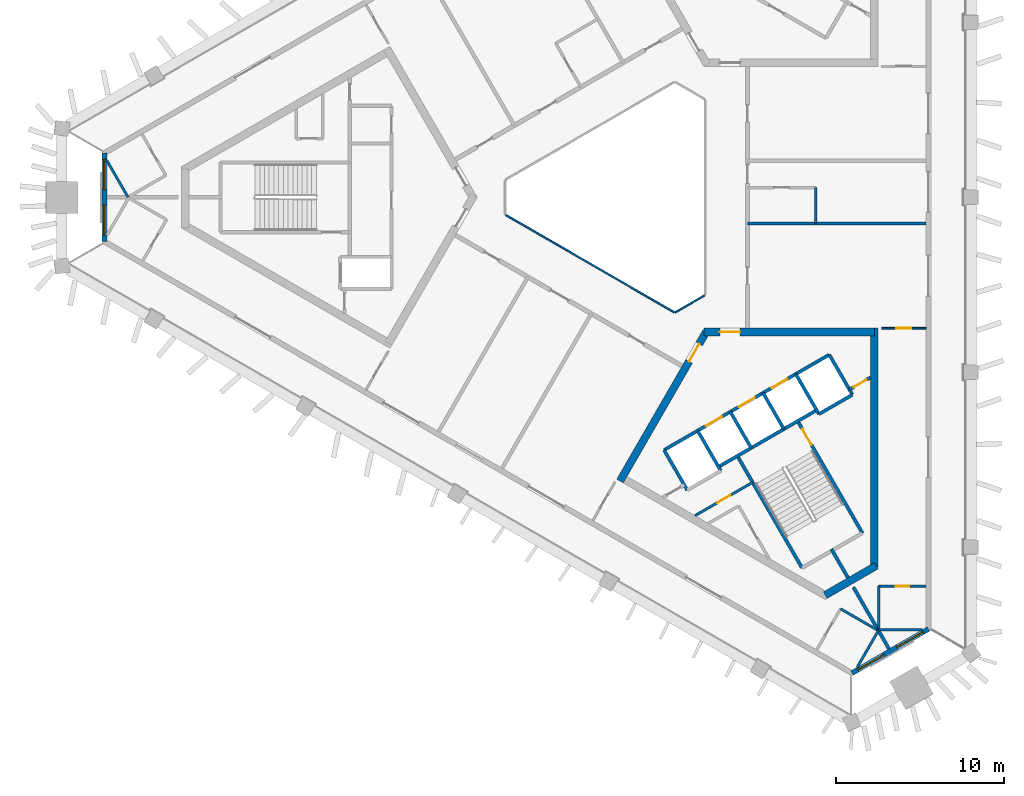
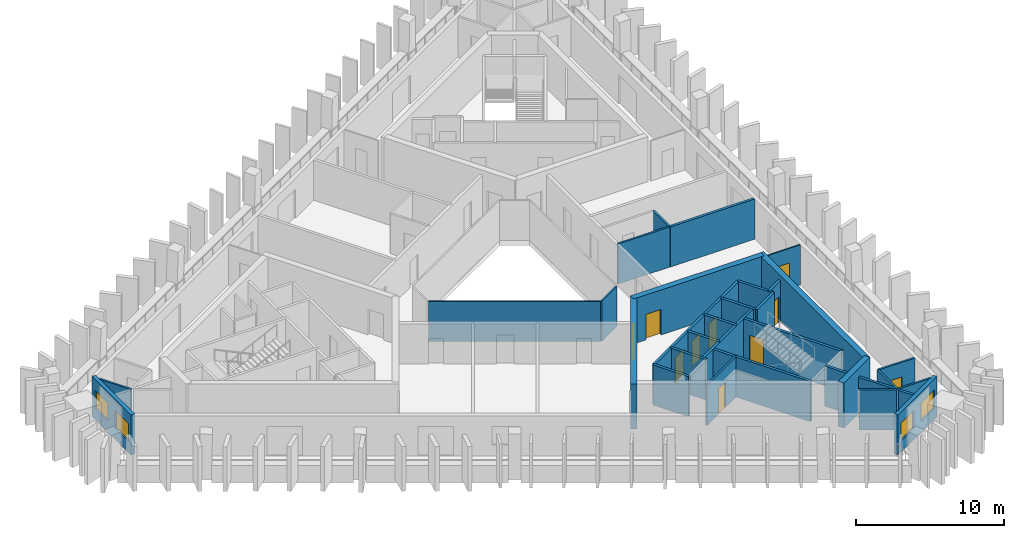
# One storey, part 3 of 9: 33 walls, 10 doors, 4 windows, 14 openings.
"""IFC4 building model written with IfcOpenShell, lengths in metres."""

from ifc_helpers import new_model, si_unit, direction, frame, frame_2d, origin, place, context, subcontext, project, spatial, rectangle, extrude, material, layer, layer_set, type_object, element, fill, save


model = new_model("IFC4")

# Units and contexts
model_context = context("Model", 3, precision=1e-05, world=origin(), true_north=direction((0.0, 1.0)))
body_context = subcontext(model_context, "Body", "Model", "MODEL_VIEW")
ifc_project = project(units=[si_unit("LENGTHUNIT", "METRE"), si_unit("AREAUNIT", "SQUARE_METRE"), si_unit("VOLUMEUNIT", "CUBIC_METRE"), si_unit("PLANEANGLEUNIT", "RADIAN"), si_unit("MASSUNIT", "GRAM", prefix="KILO")], contexts=[model_context])

# Site, building, storey
site_placement = place(None, origin())
site = spatial("IfcSite", under=ifc_project, at=site_placement, CompositionType="ELEMENT")
building_placement = place(site_placement, origin())
building = spatial("IfcBuilding", under=site, at=building_placement, Name="Jabali Bay Hotel Tower and Convention Centre", CompositionType="ELEMENT")
storey_placement = place(building_placement, frame((0.0, 0.0, 209.5)))
storey = spatial("IfcBuildingStorey", under=building, at=storey_placement, Name="L51", CompositionType="ELEMENT", Elevation=209.5)

# Walls
ifc_material_1 = material(Name="Fire-resistant glazing", Category="glass")
ifc_layer_1 = layer(ifc_material_1, 0.10009765625)
ifc_layer_set_1 = layer_set([ifc_layer_1], Name="Fire-resistant glazing")
wall_type_1 = type_object("IfcWallType", Name="Atrium glazed screen 100", PredefinedType="PARTITIONING", material=ifc_layer_set_1)
wall_1_placement = place(storey_placement, frame((67.7021484375, 78.947998046875, 0.0), z_axis=(0.0, 0.0, 1.0), x_axis=(0.866026658274, -0.499997827154, 0.0)))
element("IfcWall", 1, at=wall_1_placement, inside=storey, type_object=wall_type_1, Name="Atrium screen 5 L51", PredefinedType="PARTITIONING", context=body_context, shape_type="SweptSolid", body=[
    extrude(rectangle(XDim=11.58837890625, YDim=0.10009765625, at=frame_2d((5.794189453125, 0.0))), origin(), (0.0, 0.0, 1.0), 3.300048828125),
])
wall_2_placement = place(storey_placement, frame((77.7978515625, 73.15380859375, 0.0), z_axis=(0.0, 0.0, 1.0), x_axis=(0.866041268327, 0.499972520799, 0.0)))
element("IfcWall", 2, at=wall_2_placement, inside=storey, type_object=wall_type_1, Name="Atrium screen 6 L51", PredefinedType="PARTITIONING", context=body_context, shape_type="SweptSolid", body=[
    extrude(rectangle(XDim=2.0, YDim=0.10009765625, at=frame_2d((1.0, 0.0))), origin(), (0.0, 0.0, 1.0), 3.300048828125),
])
ifc_material_2 = material(Name="Concrete C40", Category="concrete")
ifc_layer_2 = layer(ifc_material_2, 0.199951171875)
ifc_layer_set_2 = layer_set([ifc_layer_2], Name="Concrete C40")
wall_type_2 = type_object("IfcWallType", Name="Core partition wall 200", PredefinedType="PARTITIONING", material=ifc_layer_set_2)
wall_3_placement = place(storey_placement, frame((87.090087890625, 59.0595703125, 0.0), z_axis=(0.0, 0.0, 1.0), x_axis=(0.500011643316, -0.866018681408, 0.0)))
element("IfcWall", 3, at=wall_3_placement, inside=storey, type_object=wall_type_2, Name="Core wall 2.5 L51", PredefinedType="PARTITIONING", context=body_context, shape_type="SweptSolid", body=[
    extrude(rectangle(XDim=1.97314453125, YDim=0.199951171875, at=frame_2d((0.986572265625, 0.0))), origin(), (0.0, 0.0, 1.0), 3.300048828125),
])

# Wall, opening, door
wall_4_placement = place(storey_placement, frame((88.164794921875, 68.548095703125, 0.0), z_axis=(0.0, 0.0, 1.0), x_axis=(0.866013036001, 0.500021421018, 0.0)))
wall_4 = element("IfcWall", 4, at=wall_4_placement, inside=storey, type_object=wall_type_2, Name="Core wall 2.12 L51", PredefinedType="PARTITIONING", context=body_context, shape_type="SweptSolid", body=[
    extrude(rectangle(XDim=1.4609375, YDim=0.199951171875, at=frame_2d((0.73046875, 0.0))), origin(), (0.0, 0.0, 1.0), 3.300048828125),
])
opening_1_placement = place(wall_4_placement, frame((0.280517578125, 0.0, 0.0)))
opening_1 = element("IfcOpeningElement", 5, at=opening_1_placement, cuts=wall_4, Name="Opening D1114", PredefinedType="OPENING", context=body_context, shape_type="SweptSolid", body=[
    extrude(rectangle(XDim=0.89990234375, YDim=2.10009765625, at=frame_2d((0.449951171875, 1.050048828125))), frame((0.0, 0.1103515625, 0.0), z_axis=(0.0, -1.0, 0.0), x_axis=(1.0, 0.0, 0.0)), (0.0, 0.0, 1.0), 0.220947265625),
])
ifc_material_3 = material(Name="Fire-rated steel door", Category="steel")
door_type_1 = type_object("IfcDoorType", Name="Vestibule fire door 900 x 2100", OperationType="NOTDEFINED", PredefinedType="NOTDEFINED", material=ifc_material_3)
door_1_placement = place(opening_1_placement, origin())
door_1 = element("IfcDoor", 6, at=door_1_placement, inside=storey, type_object=door_type_1, Name="Vestibule fire door D1114", OperationType="SINGLE_SWING_LEFT", OverallHeight=2.10009765625, OverallWidth=0.89990234375, PredefinedType="NOTDEFINED", context=body_context, shape_type="SweptSolid", body=[
    extrude(rectangle(XDim=0.89990234375, YDim=2.10009765625, at=frame_2d((0.449951171875, 1.050048828125))), frame((0.0, 0.02490234375, 0.0), z_axis=(0.0, -1.0, 0.0), x_axis=(1.0, 0.0, 0.0)), (0.0, 0.0, 1.0), 0.050048828125),
])
fill(opening_1, door_1)

ifc_material_4 = material(Name="Fire-rated board partition")
ifc_layer_3 = layer(ifc_material_4, 0.14990234375)
ifc_layer_set_3 = layer_set([ifc_layer_3], Name="Fire-rated board partition")
wall_type_3 = type_object("IfcWallType", Name="Core room partition 150", PredefinedType="PARTITIONING", material=ifc_layer_set_3)
wall_5_placement = place(storey_placement, frame((78.969970703125, 61.045654296875, 0.0), z_axis=(0.0, 0.0, 1.0), x_axis=(0.866044057189, 0.499967689963, 0.0)))
wall_5 = element("IfcWall", 7, at=wall_5_placement, inside=storey, type_object=wall_type_3, Name="Core wall 2.16 L51", PredefinedType="PARTITIONING", context=body_context, shape_type="SweptSolid", body=[
    extrude(rectangle(XDim=3.964111328125, YDim=0.14990234375, at=frame_2d((1.98193359375, 0.0))), origin(), (0.0, 0.0, 1.0), 3.300048828125),
])
opening_2_placement = place(wall_5_placement, frame((1.531982421875, 0.0, 0.0)))
opening_2 = element("IfcOpeningElement", 8, at=opening_2_placement, cuts=wall_5, Name="Opening D1113", PredefinedType="OPENING", context=body_context, shape_type="SweptSolid", body=[
    extrude(rectangle(XDim=0.89990234375, YDim=2.10009765625, at=frame_2d((0.449951171875, 1.050048828125))), frame((0.0, 0.08544921875, 0.0), z_axis=(0.0, -1.0, 0.0), x_axis=(1.0, 0.0, 0.0)), (0.0, 0.0, 1.0), 0.1708984375),
])
door_type_2 = type_object("IfcDoorType", Name="Core room door 900 x 2100", OperationType="NOTDEFINED", PredefinedType="NOTDEFINED", material=ifc_material_3)
door_2_placement = place(opening_2_placement, origin())
door_2 = element("IfcDoor", 9, at=door_2_placement, inside=storey, type_object=door_type_2, Name="Core room door D1113", OperationType="SINGLE_SWING_RIGHT", OverallHeight=2.10009765625, OverallWidth=0.89990234375, PredefinedType="NOTDEFINED", context=body_context, shape_type="SweptSolid", body=[
    extrude(rectangle(XDim=0.89990234375, YDim=2.10009765625, at=frame_2d((0.449951171875, 1.050048828125))), frame((0.0, 0.02490234375, 0.0), z_axis=(0.0, -1.0, 0.0), x_axis=(1.0, 0.0, 0.0)), (0.0, 0.0, 1.0), 0.050048828125),
])
fill(opening_2, door_2)

# Walls
ifc_layer_4 = layer(ifc_material_2, 0.199951171875)
ifc_layer_set_4 = layer_set([ifc_layer_4], Name="Concrete C40")
wall_type_4 = type_object("IfcWallType", Name="Core stair wall 200", PredefinedType="SOLIDWALL", material=ifc_layer_set_4)
for number, where, z_axis, x_axis, name in (
    (10, (77.13525390625, 64.95166015625, 0.0), (0.0, 0.0, 1.0), (0.499996545922, -0.866027397988, 0.0), "Core wall 2.0 L51"),
    (11, (79.127197265625, 66.1015625, 0.0), (0.0, 0.0, 1.0), (0.499996545922, -0.866027397988, 0.0), "Core wall 2.2 L51"),
):
    element("IfcWall", number, at=place(storey_placement, frame(where, z_axis=z_axis, x_axis=x_axis)), inside=storey, type_object=wall_type_4, Name=name, PredefinedType="SOLIDWALL", context=body_context, shape_type="SweptSolid", body=[
        extrude(rectangle(XDim=2.75, YDim=0.199951171875, at=frame_2d((1.375, 0.0))), origin(), (0.0, 0.0, 1.0), 3.300048828125),
    ])
wall_6_placement = place(storey_placement, frame((81.492919921875, 64.603759765625, 0.0), z_axis=(0.0, 0.0, 1.0), x_axis=(0.500006057782, -0.866021906294, 0.0)))
element("IfcWall", 12, at=wall_6_placement, inside=storey, type_object=wall_type_4, Name="Core wall 2.3 L51", PredefinedType="SOLIDWALL", context=body_context, shape_type="SweptSolid", body=[
    extrude(rectangle(XDim=7.7001953125, YDim=0.199951171875, at=frame_2d((3.85009765625, 0.0))), origin(), (0.0, 0.0, 1.0), 3.300048828125),
])
for number, where, z_axis, x_axis, name in (
    (13, (81.07568359375, 67.2265625, 0.0), (0.0, 0.0, 1.0), (0.50000366821, -0.866023285932, 0.0), "Core wall 2.4 L51"),
    (14, (83.024169921875, 68.3515625, 0.0), (0.0, 0.0, 1.0), (0.50000366821, -0.866023285932, 0.0), "Core wall 2.6 L51"),
):
    element("IfcWall", number, at=place(storey_placement, frame(where, z_axis=z_axis, x_axis=x_axis)), inside=storey, type_object=wall_type_4, Name=name, PredefinedType="SOLIDWALL", context=body_context, shape_type="SweptSolid", body=[
        extrude(rectangle(XDim=2.47998046875, YDim=0.199951171875, at=frame_2d((1.239990234375, 0.0))), origin(), (0.0, 0.0, 1.0), 3.300048828125),
    ])

# Wall, opening, door
wall_7_placement = place(storey_placement, frame((85.0869140625, 66.6787109375, 0.0), z_axis=(0.0, 0.0, 1.0), x_axis=(0.500019787375, -0.866013979237, 0.0)))
wall_7 = element("IfcWall", 15, at=wall_7_placement, inside=storey, type_object=wall_type_4, Name="Core wall 2.7 L51", PredefinedType="SOLIDWALL", context=body_context, shape_type="SweptSolid", body=[
    extrude(rectangle(XDim=7.699951171875, YDim=0.199951171875, at=frame_2d((3.85009765625, 0.0))), origin(), (0.0, 0.0, 1.0), 3.300048828125),
])
opening_3_placement = place(wall_7_placement, frame((0.550048828125, 0.0, 0.0)))
opening_3 = element("IfcOpeningElement", 16, at=opening_3_placement, cuts=wall_7, Name="Opening D1116", PredefinedType="OPENING", context=body_context, shape_type="SweptSolid", body=[
    extrude(rectangle(XDim=1.10009765625, YDim=2.10009765625, at=frame_2d((0.550048828125, 1.050048828125))), frame((0.0, 0.1103515625, 0.0), z_axis=(0.0, -1.0, 0.0), x_axis=(1.0, 0.0, 0.0)), (0.0, 0.0, 1.0), 0.220947265625),
])
door_type_3 = type_object("IfcDoorType", Name="Stair fire door 1100 x 2100", OperationType="NOTDEFINED", PredefinedType="NOTDEFINED", material=ifc_material_3)
door_3_placement = place(opening_3_placement, origin())
door_3 = element("IfcDoor", 17, at=door_3_placement, inside=storey, type_object=door_type_3, Name="Stair fire door D1116", OperationType="SINGLE_SWING_RIGHT", OverallHeight=2.10009765625, OverallWidth=1.10009765625, PredefinedType="NOTDEFINED", context=body_context, shape_type="SweptSolid", body=[
    extrude(rectangle(XDim=1.10009765625, YDim=2.10009765625, at=frame_2d((0.550048828125, 1.050048828125))), frame((0.0, 0.02490234375, 0.0), z_axis=(0.0, -1.0, 0.0), x_axis=(1.0, 0.0, 0.0)), (0.0, 0.0, 1.0), 0.050048828125),
])
fill(opening_3, door_3)

# Walls
for number, where, z_axis, x_axis, name in (
    (18, (84.972900390625, 69.4765625, 0.0), (0.0, 0.0, 1.0), (0.499996545922, -0.866027397988, 0.0), "Core wall 2.8 L51"),
    (19, (86.964599609375, 70.62646484375, 0.0), (0.0, 0.0, 1.0), (0.499996545922, -0.866027397988, 0.0), "Core wall 2.9 L51"),
):
    element("IfcWall", number, at=place(storey_placement, frame(where, z_axis=z_axis, x_axis=x_axis)), inside=storey, type_object=wall_type_4, Name=name, PredefinedType="SOLIDWALL", context=body_context, shape_type="SweptSolid", body=[
        extrude(rectangle(XDim=2.75, YDim=0.199951171875, at=frame_2d((1.375, 0.0))), origin(), (0.0, 0.0, 1.0), 3.300048828125),
    ])

# Wall, openings, doors
wall_8_placement = place(storey_placement, frame((77.13525390625, 64.95166015625, 0.0), z_axis=(0.0, 0.0, 1.0), x_axis=(0.866031916153, 0.499988720078, 0.0)))
wall_8 = element("IfcWall", 20, at=wall_8_placement, inside=storey, type_object=wall_type_4, Name="Core wall 2.10 L51", PredefinedType="SOLIDWALL", context=body_context, shape_type="SweptSolid", body=[
    extrude(rectangle(XDim=11.349853515625, YDim=0.199951171875, at=frame_2d((5.6748046875, 0.0))), origin(), (0.0, 0.0, 1.0), 3.300048828125),
])
opening_4_placement = place(wall_8_placement, frame((2.875, 0.0, 0.0)))
opening_4 = element("IfcOpeningElement", 21, at=opening_4_placement, cuts=wall_8, Name="Opening LD12-L51", PredefinedType="OPENING", context=body_context, shape_type="SweptSolid", body=[
    extrude(rectangle(XDim=1.10009765625, YDim=2.10009765625, at=frame_2d((0.550048828125, 1.050048828125))), frame((0.0, 0.1103515625, 0.0), z_axis=(0.0, -1.0, 0.0), x_axis=(1.0, 0.0, 0.0)), (0.0, 0.0, 1.0), 0.220947265625),
])
opening_5_placement = place(wall_8_placement, frame((5.125, 0.0, 0.0)))
opening_5 = element("IfcOpeningElement", 22, at=opening_5_placement, cuts=wall_8, Name="Opening LD13-L51", PredefinedType="OPENING", context=body_context, shape_type="SweptSolid", body=[
    extrude(rectangle(XDim=1.10009765625, YDim=2.10009765625, at=frame_2d((0.550048828125, 1.050048828125))), frame((0.0, 0.1103515625, 0.0), z_axis=(0.0, -1.0, 0.0), x_axis=(1.0, 0.0, 0.0)), (0.0, 0.0, 1.0), 0.220947265625),
])
opening_6_placement = place(wall_8_placement, frame((7.375, 0.0, 0.0)))
opening_6 = element("IfcOpeningElement", 23, at=opening_6_placement, cuts=wall_8, Name="Opening LD14-L51", PredefinedType="OPENING", context=body_context, shape_type="SweptSolid", body=[
    extrude(rectangle(XDim=1.10009765625, YDim=2.10009765625, at=frame_2d((0.550048828125, 1.050048828125))), frame((0.0, 0.1103515625, 0.0), z_axis=(0.0, -1.0, 0.0), x_axis=(1.0, 0.0, 0.0)), (0.0, 0.0, 1.0), 0.220947265625),
])
ifc_material_5 = material(Name="Stainless steel landing door", Category="steel")
door_type_4 = type_object("IfcDoorType", Name="Landing door 1100 x 2100", OperationType="NOTDEFINED", PredefinedType="NOTDEFINED", material=ifc_material_5)
door_4_placement = place(opening_4_placement, origin())
door_4 = element("IfcDoor", 24, at=door_4_placement, inside=storey, type_object=door_type_4, Name="Landing doors LD12-L51", OperationType="SLIDING_TO_LEFT", OverallHeight=2.10009765625, OverallWidth=1.10009765625, PredefinedType="NOTDEFINED", context=body_context, shape_type="SweptSolid", body=[
    extrude(rectangle(XDim=1.10009765625, YDim=2.10009765625, at=frame_2d((0.550048828125, 1.050048828125))), frame((0.0, 0.02490234375, 0.0), z_axis=(0.0, -1.0, 0.0), x_axis=(1.0, 0.0, 0.0)), (0.0, 0.0, 1.0), 0.050048828125),
])
fill(opening_4, door_4)
door_5_placement = place(opening_5_placement, origin())
door_5 = element("IfcDoor", 25, at=door_5_placement, inside=storey, type_object=door_type_4, Name="Landing doors LD13-L51", OperationType="SLIDING_TO_RIGHT", OverallHeight=2.10009765625, OverallWidth=1.10009765625, PredefinedType="NOTDEFINED", context=body_context, shape_type="SweptSolid", body=[
    extrude(rectangle(XDim=1.10009765625, YDim=2.10009765625, at=frame_2d((0.550048828125, 1.050048828125))), frame((0.0, 0.02490234375, 0.0), z_axis=(0.0, -1.0, 0.0), x_axis=(1.0, 0.0, 0.0)), (0.0, 0.0, 1.0), 0.050048828125),
])
fill(opening_5, door_5)
door_6_placement = place(opening_6_placement, origin())
door_6 = element("IfcDoor", 26, at=door_6_placement, inside=storey, type_object=door_type_4, Name="Landing doors LD14-L51", OperationType="SLIDING_TO_LEFT", OverallHeight=2.10009765625, OverallWidth=1.10009765625, PredefinedType="NOTDEFINED", context=body_context, shape_type="SweptSolid", body=[
    extrude(rectangle(XDim=1.10009765625, YDim=2.10009765625, at=frame_2d((0.550048828125, 1.050048828125))), frame((0.0, 0.02490234375, 0.0), z_axis=(0.0, -1.0, 0.0), x_axis=(1.0, 0.0, 0.0)), (0.0, 0.0, 1.0), 0.050048828125),
])
fill(opening_6, door_6)

# Walls
wall_9_placement = place(storey_placement, frame((80.3671875, 63.953857421875, 0.0), z_axis=(0.0, 0.0, 1.0), x_axis=(0.866026575979, 0.499997969693, 0.0)))
element("IfcWall", 27, at=wall_9_placement, inside=storey, type_object=wall_type_4, Name="Core wall 2.13 L51", PredefinedType="SOLIDWALL", context=body_context, shape_type="SweptSolid", body=[
    extrude(rectangle(XDim=6.75, YDim=0.199951171875, at=frame_2d((3.375, 0.0))), origin(), (0.0, 0.0, 1.0), 3.300048828125),
])
wall_10_placement = place(storey_placement, frame((86.347900390625, 67.094970703125, 0.0), z_axis=(0.0, 0.0, 1.0), x_axis=(0.86602648383, 0.499998129301, 0.0)))
element("IfcWall", 28, at=wall_10_placement, inside=storey, type_object=wall_type_4, Name="Core wall 2.15 L51", PredefinedType="SOLIDWALL", context=body_context, shape_type="SweptSolid", body=[
    extrude(rectangle(XDim=2.2998046875, YDim=0.199951171875, at=frame_2d((1.14990234375, 0.0))), origin(), (0.0, 0.0, 1.0), 3.300048828125),
])

# Wall, opening, door
ifc_material_6 = material(Name="Concrete C60", Category="concrete")
ifc_layer_5 = layer(ifc_material_6, 0.449951171875)
ifc_layer_set_5 = layer_set([ifc_layer_5], Name="Concrete C60")
wall_type_5 = type_object("IfcWallType", Name="Core wall 450", PredefinedType="SHEAR", material=ifc_layer_set_5)
wall_11_placement = place(storey_placement, frame((79.6298828125, 71.980712890625, 0.0), z_axis=(0.0, 0.0, 1.0), x_axis=(-0.500002171595, -0.86602415001, 0.0)))
wall_11 = element("IfcWall", 29, at=wall_11_placement, inside=storey, type_object=wall_type_5, Name="Core wall 3.1 L51", PredefinedType="SHEAR", context=body_context, shape_type="SweptSolid", body=[
    extrude(rectangle(XDim=10.25, YDim=0.449951171875, at=frame_2d((5.125, 0.0))), origin(), (0.0, 0.0, 1.0), 3.699951171875),
])
opening_7_placement = place(wall_11_placement, frame((0.820068359375, 0.0, 0.0)))
opening_7 = element("IfcOpeningElement", 30, at=opening_7_placement, cuts=wall_11, Name="Opening D1111", PredefinedType="OPENING", context=body_context, shape_type="SweptSolid", body=[
    extrude(rectangle(XDim=1.199951171875, YDim=2.10009765625, at=frame_2d((0.60009765625, 1.050048828125))), frame((0.0, 0.2353515625, 0.0), z_axis=(0.0, -1.0, 0.0), x_axis=(1.0, 0.0, 0.0)), (0.0, 0.0, 1.0), 0.470947265625),
])
door_type_5 = type_object("IfcDoorType", Name="Corridor end fire door 1200 x 2100", OperationType="NOTDEFINED", PredefinedType="NOTDEFINED", material=ifc_material_3)
door_7_placement = place(opening_7_placement, origin())
door_7 = element("IfcDoor", 31, at=door_7_placement, inside=storey, type_object=door_type_5, Name="Corridor end fire door D1111", OperationType="SINGLE_SWING_RIGHT", OverallHeight=2.10009765625, OverallWidth=1.199951171875, PredefinedType="NOTDEFINED", context=body_context, shape_type="SweptSolid", body=[
    extrude(rectangle(XDim=1.199951171875, YDim=2.10009765625, at=frame_2d((0.60009765625, 1.050048828125))), frame((0.0, 0.02490234375, 0.0), z_axis=(0.0, -1.0, 0.0), x_axis=(1.0, 0.0, 0.0)), (0.0, 0.0, 1.0), 0.050048828125),
])
fill(opening_7, door_7)

# Walls
wall_12_placement = place(storey_placement, frame((86.72314453125, 56.3095703125, 0.0), z_axis=(0.0, 0.0, 1.0), x_axis=(0.866042179588, 0.49997094233, 0.0)))
element("IfcWall", 32, at=wall_12_placement, inside=storey, type_object=wall_type_5, Name="Core wall 3.3 L51", PredefinedType="SHEAR", context=body_context, shape_type="SweptSolid", body=[
    extrude(rectangle(XDim=3.515380859375, YDim=0.449951171875, at=frame_2d((1.7578125, 0.0))), origin(), (0.0, 0.0, 1.0), 3.699951171875),
])
wall_13_placement = place(storey_placement, frame((89.655029296875, 58.002197265625, 0.0), z_axis=(0.0, 0.0, 1.0), x_axis=(0.0, 1.0, 0.0)))
element("IfcWall", 33, at=wall_13_placement, inside=storey, type_object=wall_type_5, Name="Core wall 3.4 L51", PredefinedType="SHEAR", context=body_context, shape_type="SweptSolid", body=[
    extrude(rectangle(XDim=14.20361328125, YDim=0.449951171875, at=frame_2d((7.101806640625, 0.0))), origin(), (0.0, 0.0, 1.0), 3.699951171875),
])

# Wall, opening, door
wall_14_placement = place(storey_placement, frame((89.655029296875, 71.980712890625, 0.0), z_axis=(0.0, 0.0, 1.0), x_axis=(-1.0, 0.0, 0.0)))
wall_14 = element("IfcWall", 34, at=wall_14_placement, inside=storey, type_object=wall_type_5, Name="Core wall 3.5 L51", PredefinedType="SHEAR", context=body_context, shape_type="SweptSolid", body=[
    extrude(rectangle(XDim=10.155029296875, YDim=0.449951171875, at=frame_2d((5.07763671875, 0.0))), origin(), (0.0, 0.0, 1.0), 3.699951171875),
])
opening_8_placement = place(wall_14_placement, frame((8.0048828125, 0.0, 0.0)))
opening_8 = element("IfcOpeningElement", 35, at=opening_8_placement, cuts=wall_14, Name="Opening D1112", PredefinedType="OPENING", context=body_context, shape_type="SweptSolid", body=[
    extrude(rectangle(XDim=1.199951171875, YDim=2.10009765625, at=frame_2d((0.60009765625, 1.050048828125))), frame((0.0, 0.2353515625, 0.0), z_axis=(0.0, -1.0, 0.0), x_axis=(1.0, 0.0, 0.0)), (0.0, 0.0, 1.0), 0.470947265625),
])
door_8_placement = place(opening_8_placement, origin())
door_8 = element("IfcDoor", 36, at=door_8_placement, inside=storey, type_object=door_type_5, Name="Corridor end fire door D1112", OperationType="SINGLE_SWING_LEFT", OverallHeight=2.10009765625, OverallWidth=1.199951171875, PredefinedType="NOTDEFINED", context=body_context, shape_type="SweptSolid", body=[
    extrude(rectangle(XDim=1.199951171875, YDim=2.10009765625, at=frame_2d((0.60009765625, 1.050048828125))), frame((0.0, 0.02490234375, 0.0), z_axis=(0.0, -1.0, 0.0), x_axis=(1.0, 0.0, 0.0)), (0.0, 0.0, 1.0), 0.050048828125),
])
fill(opening_8, door_8)

# Wall, openings, windows
ifc_layer_6 = layer(ifc_material_2, 0.300048828125)
ifc_layer_set_6 = layer_set([ifc_layer_6], Name="Concrete C40")
wall_type_6 = type_object("IfcWallType", Name="External wall 300", PredefinedType="SOLIDWALL", material=ifc_layer_set_6)
wall_15_placement = place(storey_placement, frame((43.80224609375, 77.370361328125, 0.0), z_axis=(0.0, 0.0, 1.0), x_axis=(0.0, 1.0, 0.0)))
wall_15 = element("IfcWall", 37, at=wall_15_placement, inside=storey, type_object=wall_type_6, Name="External wall west chamfer L51", PredefinedType="SOLIDWALL", context=body_context, shape_type="SweptSolid", body=[
    extrude(rectangle(XDim=5.25927734375, YDim=0.300048828125, at=frame_2d((2.629638671875, 0.0))), origin(), (0.0, 0.0, 1.0), 3.300048828125),
])
opening_9_placement = place(wall_15_placement, frame((3.082275390625, 0.0, 0.89990234375)))
opening_9 = element("IfcOpeningElement", 38, at=opening_9_placement, cuts=wall_15, Name="Opening W1", PredefinedType="OPENING", context=body_context, shape_type="SweptSolid", body=[
    extrude(rectangle(XDim=1.800048828125, YDim=1.5, at=frame_2d((0.89990234375, 0.75))), frame((0.0, 0.16064453125, 0.0), z_axis=(0.0, -1.0, 0.0), x_axis=(1.0, 0.0, 0.0)), (0.0, 0.0, 1.0), 0.321044921875),
])
opening_10_placement = place(wall_15_placement, frame((0.365234375, 0.0, 0.89990234375)))
opening_10 = element("IfcOpeningElement", 39, at=opening_10_placement, cuts=wall_15, Name="Opening W1", PredefinedType="OPENING", context=body_context, shape_type="SweptSolid", body=[
    extrude(rectangle(XDim=1.800048828125, YDim=1.5, at=frame_2d((0.89990234375, 0.75))), frame((0.0, 0.16064453125, 0.0), z_axis=(0.0, -1.0, 0.0), x_axis=(1.0, 0.0, 0.0)), (0.0, 0.0, 1.0), 0.321044921875),
])
ifc_material_7 = material(Name="Glass", Category="glass")
window_type = type_object("IfcWindowType", Name="Window 1800 x 1500", PartitioningType="SINGLE_PANEL", PredefinedType="WINDOW", material=ifc_material_7)
window_1_placement = place(opening_9_placement, origin())
window_1 = element("IfcWindow", 40, at=window_1_placement, inside=storey, type_object=window_type, Name="Window 5106", OverallHeight=1.5, OverallWidth=1.800048828125, PartitioningType="SINGLE_PANEL", PredefinedType="WINDOW", context=body_context, shape_type="SweptSolid", body=[
    extrude(rectangle(XDim=1.800048828125, YDim=1.5, at=frame_2d((0.89990234375, 0.75))), frame((0.0, 0.030029296875, 0.0), z_axis=(0.0, -1.0, 0.0), x_axis=(1.0, 0.0, 0.0)), (0.0, 0.0, 1.0), 0.06005859375),
])
fill(opening_9, window_1)
window_2_placement = place(opening_10_placement, origin())
window_2 = element("IfcWindow", 41, at=window_2_placement, inside=storey, type_object=window_type, Name="Window 5107", OverallHeight=1.5, OverallWidth=1.800048828125, PartitioningType="SINGLE_PANEL", PredefinedType="WINDOW", context=body_context, shape_type="SweptSolid", body=[
    extrude(rectangle(XDim=1.800048828125, YDim=1.5, at=frame_2d((0.89990234375, 0.75))), frame((0.0, 0.030029296875, 0.0), z_axis=(0.0, -1.0, 0.0), x_axis=(1.0, 0.0, 0.0)), (0.0, 0.0, 1.0), 0.06005859375),
])
fill(opening_10, window_2)

wall_16_placement = place(storey_placement, frame((92.8759765625, 54.296875, 0.0), z_axis=(0.0, 0.0, 1.0), x_axis=(-0.866014735099, -0.50001847825, 0.0)))
wall_16 = element("IfcWall", 42, at=wall_16_placement, inside=storey, type_object=wall_type_6, Name="External wall south-east chamfer L51", PredefinedType="SOLIDWALL", context=body_context, shape_type="SweptSolid", body=[
    extrude(rectangle(XDim=5.259033203125, YDim=0.300048828125, at=frame_2d((2.62939453125, 0.0))), origin(), (0.0, 0.0, 1.0), 3.300048828125),
])
opening_11_placement = place(wall_16_placement, frame((0.365234375, 0.0, 0.89990234375)))
opening_11 = element("IfcOpeningElement", 43, at=opening_11_placement, cuts=wall_16, Name="Opening W1", PredefinedType="OPENING", context=body_context, shape_type="SweptSolid", body=[
    extrude(rectangle(XDim=1.800048828125, YDim=1.5, at=frame_2d((0.89990234375, 0.75))), frame((0.0, 0.16064453125, 0.0), z_axis=(0.0, -1.0, 0.0), x_axis=(1.0, 0.0, 0.0)), (0.0, 0.0, 1.0), 0.321044921875),
])
opening_12_placement = place(wall_16_placement, frame((3.082275390625, 0.0, 0.89990234375)))
opening_12 = element("IfcOpeningElement", 44, at=opening_12_placement, cuts=wall_16, Name="Opening W1", PredefinedType="OPENING", context=body_context, shape_type="SweptSolid", body=[
    extrude(rectangle(XDim=1.800048828125, YDim=1.5, at=frame_2d((0.89990234375, 0.75))), frame((0.0, 0.16064453125, 0.0), z_axis=(0.0, -1.0, 0.0), x_axis=(1.0, 0.0, 0.0)), (0.0, 0.0, 1.0), 0.321044921875),
])
window_3_placement = place(opening_11_placement, origin())
window_3 = element("IfcWindow", 45, at=window_3_placement, inside=storey, type_object=window_type, Name="Window 5101", OverallHeight=1.5, OverallWidth=1.800048828125, PartitioningType="SINGLE_PANEL", PredefinedType="WINDOW", context=body_context, shape_type="SweptSolid", body=[
    extrude(rectangle(XDim=1.800048828125, YDim=1.5, at=frame_2d((0.89990234375, 0.75))), frame((0.0, 0.030029296875, 0.0), z_axis=(0.0, -1.0, 0.0), x_axis=(1.0, 0.0, 0.0)), (0.0, 0.0, 1.0), 0.06005859375),
])
fill(opening_11, window_3)
window_4_placement = place(opening_12_placement, origin())
window_4 = element("IfcWindow", 46, at=window_4_placement, inside=storey, type_object=window_type, Name="Window 5108", OverallHeight=1.5, OverallWidth=1.800048828125, PartitioningType="SINGLE_PANEL", PredefinedType="WINDOW", context=body_context, shape_type="SweptSolid", body=[
    extrude(rectangle(XDim=1.800048828125, YDim=1.5, at=frame_2d((0.89990234375, 0.75))), frame((0.0, 0.030029296875, 0.0), z_axis=(0.0, -1.0, 0.0), x_axis=(1.0, 0.0, 0.0)), (0.0, 0.0, 1.0), 0.06005859375),
])
fill(opening_12, window_4)

# Wall, opening, door
ifc_material_8 = material(Name="Plasterboard on steel stud", Category="steel")
ifc_layer_7 = layer(ifc_material_8, 0.10009765625)
ifc_layer_set_7 = layer_set([ifc_layer_7], Name="Plasterboard on steel stud")
wall_type_7 = type_object("IfcWallType", Name="Partition 100 unit", PredefinedType="PARTITIONING", material=ifc_layer_set_7)
wall_17_placement = place(storey_placement, frame((90.0791015625, 72.205810546875, 0.0), z_axis=(0.0, 0.0, 1.0), x_axis=(1.0, 0.0, 0.0)))
wall_17 = element("IfcWall", 47, at=wall_17_placement, inside=storey, type_object=wall_type_7, Name="Partition P02 L51 001", PredefinedType="PARTITIONING", context=body_context, shape_type="SweptSolid", body=[
    extrude(rectangle(XDim=2.64794921875, YDim=0.10009765625, at=frame_2d((1.323974609375, 0.0))), origin(), (0.0, 0.0, 1.0), 3.300048828125),
])
opening_13_placement = place(wall_17_placement, frame((0.8740234375, 0.0, 0.0)))
opening_13 = element("IfcOpeningElement", 48, at=opening_13_placement, cuts=wall_17, Name="Opening 5102", PredefinedType="OPENING", context=body_context, shape_type="SweptSolid", body=[
    extrude(rectangle(XDim=0.89990234375, YDim=2.10009765625, at=frame_2d((0.449951171875, 1.050048828125))), frame((0.0, 0.060546875, 0.0), z_axis=(0.0, -1.0, 0.0), x_axis=(1.0, 0.0, 0.0)), (0.0, 0.0, 1.0), 0.12109375),
])
ifc_material_9 = material(Name="Timber", Category="wood")
door_type_6 = type_object("IfcDoorType", Name="Internal door 900 x 2100", OperationType="NOTDEFINED", PredefinedType="NOTDEFINED", material=ifc_material_9)
door_9_placement = place(opening_13_placement, origin())
door_9 = element("IfcDoor", 49, at=door_9_placement, inside=storey, type_object=door_type_6, Name="Door 5102", OperationType="SINGLE_SWING_LEFT", OverallHeight=2.10009765625, OverallWidth=0.89990234375, PredefinedType="NOTDEFINED", context=body_context, shape_type="SweptSolid", body=[
    extrude(rectangle(XDim=0.89990234375, YDim=2.10009765625, at=frame_2d((0.449951171875, 1.050048828125))), frame((0.0, 0.02490234375, 0.0), z_axis=(0.0, -1.0, 0.0), x_axis=(1.0, 0.0, 0.0)), (0.0, 0.0, 1.0), 0.050048828125),
])
fill(opening_13, door_9)

# Walls
ifc_layer_8 = layer(ifc_material_8, 0.14990234375)
ifc_layer_set_8 = layer_set([ifc_layer_8], Name="Plasterboard on steel stud")
wall_type_8 = type_object("IfcWallType", Name="Partition 150 wet", PredefinedType="PARTITIONING", material=ifc_layer_set_8)
wall_18_placement = place(storey_placement, frame((86.1630859375, 78.441162109375, 0.0), z_axis=(0.0, 0.0, 1.0), x_axis=(-1.0, 0.0, 0.0)))
element("IfcWall", 50, at=wall_18_placement, inside=storey, type_object=wall_type_8, Name="Partition P03 L51 003", PredefinedType="PARTITIONING", context=body_context, shape_type="SweptSolid", body=[
    extrude(rectangle(XDim=4.06298828125, YDim=0.14990234375, at=frame_2d((2.031494140625, 0.0))), origin(), (0.0, 0.0, 1.0), 3.300048828125),
])
wall_19_placement = place(storey_placement, frame((92.500732421875, 54.252197265625, 0.0), z_axis=(0.0, 0.0, 1.0), x_axis=(-1.0, 0.0, 0.0)))
element("IfcWall", 51, at=wall_19_placement, inside=storey, type_object=wall_type_8, Name="Partition P03 L51 004", PredefinedType="PARTITIONING", context=body_context, shape_type="SweptSolid", body=[
    extrude(rectangle(XDim=2.59912109375, YDim=0.14990234375, at=frame_2d((1.299560546875, 0.0))), origin(), (0.0, 0.0, 1.0), 3.300048828125),
])
wall_20_placement = place(storey_placement, frame((89.901611328125, 54.252197265625, 0.0), z_axis=(0.0, 0.0, 1.0), x_axis=(0.0, 1.0, 0.0)))
element("IfcWall", 52, at=wall_20_placement, inside=storey, type_object=wall_type_8, Name="Partition P03 L51 005", PredefinedType="PARTITIONING", context=body_context, shape_type="SweptSolid", body=[
    extrude(rectangle(XDim=2.599853515625, YDim=0.14990234375, at=frame_2d((1.2998046875, 0.0))), origin(), (0.0, 0.0, 1.0), 3.300048828125),
])

# Wall, opening, door
wall_21_placement = place(storey_placement, frame((89.901611328125, 56.85205078125, 0.0), z_axis=(0.0, 0.0, 1.0), x_axis=(1.0, 0.0, 0.0)))
wall_21 = element("IfcWall", 53, at=wall_21_placement, inside=storey, type_object=wall_type_8, Name="Partition P03 L51 006", PredefinedType="PARTITIONING", context=body_context, shape_type="SweptSolid", body=[
    extrude(rectangle(XDim=2.825439453125, YDim=0.14990234375, at=frame_2d((1.41259765625, 0.0))), origin(), (0.0, 0.0, 1.0), 3.300048828125),
])
opening_14_placement = place(wall_21_placement, frame((1.012939453125, 0.0, 0.0)))
opening_14 = element("IfcOpeningElement", 54, at=opening_14_placement, cuts=wall_21, Name="Opening 5103", PredefinedType="OPENING", context=body_context, shape_type="SweptSolid", body=[
    extrude(rectangle(XDim=0.800048828125, YDim=2.10009765625, at=frame_2d((0.39990234375, 1.050048828125))), frame((0.0, 0.08544921875, 0.0), z_axis=(0.0, -1.0, 0.0), x_axis=(1.0, 0.0, 0.0)), (0.0, 0.0, 1.0), 0.1708984375),
])
door_type_7 = type_object("IfcDoorType", Name="En-suite door 800 x 2100", OperationType="NOTDEFINED", PredefinedType="NOTDEFINED", material=ifc_material_9)
door_10_placement = place(opening_14_placement, origin())
door_10 = element("IfcDoor", 55, at=door_10_placement, inside=storey, type_object=door_type_7, Name="Door 5103", OperationType="SINGLE_SWING_LEFT", OverallHeight=2.10009765625, OverallWidth=0.800048828125, PredefinedType="NOTDEFINED", context=body_context, shape_type="SweptSolid", body=[
    extrude(rectangle(XDim=0.800048828125, YDim=2.10009765625, at=frame_2d((0.39990234375, 1.050048828125))), frame((0.0, 0.02490234375, 0.0), z_axis=(0.0, -1.0, 0.0), x_axis=(1.0, 0.0, 0.0)), (0.0, 0.0, 1.0), 0.050048828125),
])
fill(opening_14, door_10)

# Walls
wall_22_placement = place(storey_placement, frame((86.1630859375, 80.582275390625, 0.0), z_axis=(0.0, 0.0, 1.0), x_axis=(0.0, -1.0, 0.0)))
element("IfcWall", 56, at=wall_22_placement, inside=storey, type_object=wall_type_8, Name="Partition P03 L51 009", PredefinedType="PARTITIONING", context=body_context, shape_type="SweptSolid", body=[
    extrude(rectangle(XDim=2.14111328125, YDim=0.14990234375, at=frame_2d((1.070556640625, 0.0))), origin(), (0.0, 0.0, 1.0), 3.300048828125),
])
wall_23_placement = place(storey_placement, frame((45.210693359375, 80.008056640625, 0.0), z_axis=(0.0, 0.0, 1.0), x_axis=(-0.499954589381, 0.86605162003, 0.0)))
element("IfcWall", 57, at=wall_23_placement, inside=storey, type_object=wall_type_8, Name="Partition P03 L51 027", PredefinedType="PARTITIONING", context=body_context, shape_type="SweptSolid", body=[
    extrude(rectangle(XDim=2.518798828125, YDim=0.14990234375, at=frame_2d((1.25927734375, 0.0))), origin(), (0.0, 0.0, 1.0), 3.300048828125),
])
wall_24_placement = place(storey_placement, frame((87.635986328125, 55.497802734375, 0.0), z_axis=(0.0, 0.0, 1.0), x_axis=(0.866021400173, -0.500006934395, 0.0)))
element("IfcWall", 58, at=wall_24_placement, inside=storey, type_object=wall_type_8, Name="Partition P03 L51 037", PredefinedType="PARTITIONING", context=body_context, shape_type="SweptSolid", body=[
    extrude(rectangle(XDim=2.60009765625, YDim=0.14990234375, at=frame_2d((1.300048828125, 0.0))), origin(), (0.0, 0.0, 1.0), 3.300048828125),
])
wall_25_placement = place(storey_placement, frame((89.8876953125, 54.19775390625, 0.0), z_axis=(0.0, 0.0, 1.0), x_axis=(-0.500027284493, -0.866009650502, 0.0)))
element("IfcWall", 59, at=wall_25_placement, inside=storey, type_object=wall_type_8, Name="Partition P03 L51 038", PredefinedType="PARTITIONING", context=body_context, shape_type="SweptSolid", body=[
    extrude(rectangle(XDim=2.518798828125, YDim=0.14990234375, at=frame_2d((1.25927734375, 0.0))), origin(), (0.0, 0.0, 1.0), 3.300048828125),
])
ifc_layer_9 = layer(ifc_material_8, 0.199951171875)
ifc_layer_set_9 = layer_set([ifc_layer_9], Name="Plasterboard on steel stud")
wall_type_9 = type_object("IfcWallType", Name="Partition 200 party", PredefinedType="PARTITIONING", material=ifc_layer_set_9)
wall_26_placement = place(storey_placement, frame((92.72705078125, 78.441162109375, 0.0), z_axis=(0.0, 0.0, 1.0), x_axis=(-1.0, 0.0, 0.0)))
element("IfcWall", 60, at=wall_26_placement, inside=storey, type_object=wall_type_9, Name="Partition P01 L51 002", PredefinedType="PARTITIONING", context=body_context, shape_type="SweptSolid", body=[
    extrude(rectangle(XDim=6.56396484375, YDim=0.199951171875, at=frame_2d((3.281982421875, 0.0))), origin(), (0.0, 0.0, 1.0), 3.300048828125),
])
wall_27_placement = place(storey_placement, frame((88.401123046875, 56.788818359375, 0.0), z_axis=(0.0, 0.0, 1.0), x_axis=(0.499991184371, -0.86603049343, 0.0)))
element("IfcWall", 61, at=wall_27_placement, inside=storey, type_object=wall_type_9, Name="Partition P01 L51 007", PredefinedType="PARTITIONING", context=body_context, shape_type="SweptSolid", body=[
    extrude(rectangle(XDim=4.24658203125, YDim=0.199951171875, at=frame_2d((2.123291015625, 0.0))), origin(), (0.0, 0.0, 1.0), 3.300048828125),
])

save(model, "model.ifc")
